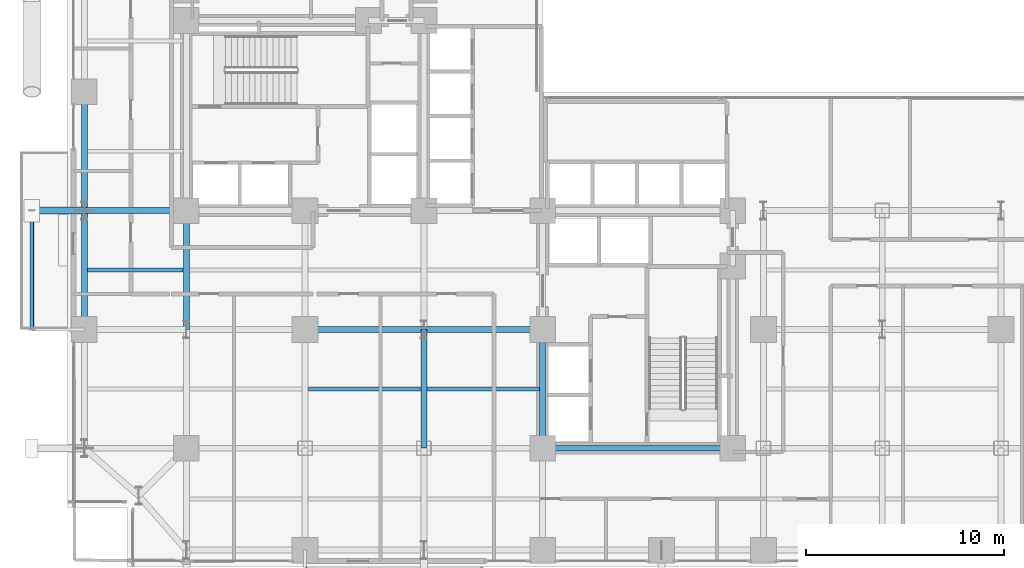
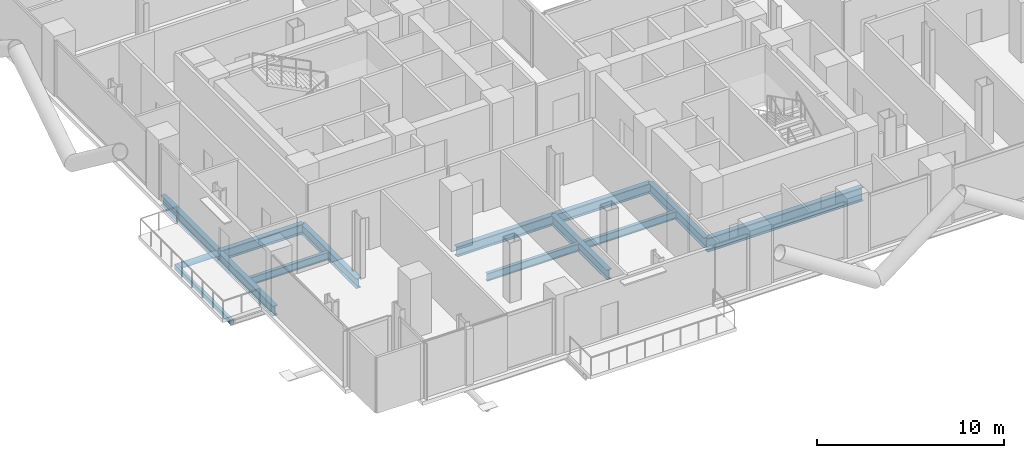
# One storey, part 4 of 25: 13 beams, 1 member.
"""IFC4 building model written with IfcOpenShell, lengths in metres."""

from ifc_helpers import new_model, si_unit, direction, frame, origin, origin_2d, place, context, subcontext, project, spatial, hollow_rectangle, hollow_circle, i_section, extrude, material, material_profile, profile_set, type_object, element, save


model = new_model("IFC4")

# Units and contexts
model_context = context("Model", 3, precision=1e-05, world=origin(), true_north=direction((0.0, 1.0)))
body_context = subcontext(model_context, "Body", "Model", "MODEL_VIEW")
ifc_project = project(units=[si_unit("LENGTHUNIT", "METRE"), si_unit("AREAUNIT", "SQUARE_METRE"), si_unit("VOLUMEUNIT", "CUBIC_METRE"), si_unit("PLANEANGLEUNIT", "RADIAN"), si_unit("MASSUNIT", "GRAM", prefix="KILO"), si_unit("THERMODYNAMICTEMPERATUREUNIT", "KELVIN"), si_unit("POWERUNIT", "WATT")], contexts=[model_context])

# Site, building, storey
site_placement = place(None, origin())
site = spatial("IfcSite", under=ifc_project, at=site_placement, CompositionType="ELEMENT")
building_placement = place(site_placement, origin())
building = spatial("IfcBuilding", under=site, at=building_placement, Name="Svarakhadi Broadcast Tower", CompositionType="ELEMENT")
storey_placement = place(building_placement, frame((0.0, 0.0, 63.60009765625)))
storey = spatial("IfcBuildingStorey", under=building, at=storey_placement, Name="L14", CompositionType="ELEMENT", Elevation=63.60009765625)

# Beams
ifc_material_1 = material(Name="Steel S355J2 (IS 2062 E350C)", Category="steel")
ifc_material_profile_1 = material_profile(ifc_material_1, i_section(OverallWidth=0.199951171875, OverallDepth=0.5, WebThickness=0.01025390625, FlangeThickness=0.01611328125, FilletRadius=0.02099609375, at=origin_2d()), Name="NPB 500x200x91")
ifc_profile_set_1 = profile_set([ifc_material_profile_1], Name="Steel S355J2 (IS 2062 E350C)")
beam_type_1 = type_object("IfcBeamType", Name="Beam_NPB500", PredefinedType="BEAM", material=ifc_profile_set_1)
beam_1_placement = place(storey_placement, frame((1.010009765625, 15.0, -0.5), z_axis=(1.0, 0.0, 0.0), x_axis=(0.0, 1.0, 0.0)))
element("IfcBeam", 1, at=beam_1_placement, inside=storey, type_object=beam_type_1, Name="L14 Secondary Composite Beam SB002", PredefinedType="BEAM", context=body_context, shape_type="SweptSolid", body=[
    extrude(i_section(OverallWidth=0.199951171875, OverallDepth=0.5, WebThickness=0.01025390625, FlangeThickness=0.01611328125, FilletRadius=0.02099609375, at=origin_2d()), origin(), (0.0, 0.0, 1.0), 4.830078125),
])
for number, where, z_axis, x_axis, name in (
    (2, (12.159912109375, 9.0, -0.5), (1.0, 0.0, 0.0), (0.0, 1.0, 0.0), "L14 Secondary Composite Beam SB014"),
    (3, (18.159912109375, 9.0, -0.5), (1.0, 0.0, 0.0), (0.0, 1.0, 0.0), "L14 Secondary Composite Beam SB020"),
):
    element("IfcBeam", number, at=place(storey_placement, frame(where, z_axis=z_axis, x_axis=x_axis)), inside=storey, type_object=beam_type_1, Name=name, PredefinedType="BEAM", context=body_context, shape_type="SweptSolid", body=[
        extrude(i_section(OverallWidth=0.199951171875, OverallDepth=0.5, WebThickness=0.01025390625, FlangeThickness=0.01611328125, FilletRadius=0.02099609375, at=origin_2d()), origin(), (0.0, 0.0, 1.0), 5.68017578125),
    ])

# Member
ifc_material_2 = material(Name="Steel S460ML (IS 2062 E450BR)", Category="steel")
ifc_material_profile_2 = material_profile(ifc_material_2, hollow_circle(Radius=0.177734375, WallThickness=0.02001953125, at=origin_2d()), Name="CHS 355.6x20")
ifc_profile_set_2 = profile_set([ifc_material_profile_2], Name="Steel S460ML (IS 2062 E450BR)")
member_type = type_object("IfcMemberType", Name="Exo_Radial_Strut_Z1", PredefinedType="STRUT", material=ifc_profile_set_2)
member_placement = place(storey_placement, frame((-1.800048828125, 18.0, -0.427978515625), z_axis=(1.0, 0.0, 0.0), x_axis=(0.0, 1.0, 0.0)))
element("IfcMember", 4, at=member_placement, inside=storey, type_object=member_type, Name="L14 Exoskeleton Radial Tie Strut W06", PredefinedType="STRUT", context=body_context, shape_type="SweptSolid", body=[
    extrude(hollow_circle(Radius=0.177734375, WallThickness=0.02001953125, at=origin_2d()), origin(), (0.0, 0.0, 1.0), 2.650146484375),
])

# Beams
ifc_material_profile_3 = material_profile(ifc_material_1, i_section(OverallWidth=0.300048828125, OverallDepth=0.64990234375, WebThickness=0.01611328125, FlangeThickness=0.031005859375, FilletRadius=0.027099609375, at=origin_2d()), Name="WPB 650x300x225")
ifc_profile_set_3 = profile_set([ifc_material_profile_3], Name="Steel S355J2 (IS 2062 E350C)")
beam_type_2 = type_object("IfcBeamType", Name="Girder_WPB650", PredefinedType="USERDEFINED", material=ifc_profile_set_3)
for number, where, z_axis, x_axis, name in (
    (5, (12.0, 12.0, -0.5751953125), (1.0, 0.0, 0.0), (0.0, 1.0, 0.0), "L14 Primary E-W Girder G021"),
    (6, (18.0, 12.0, -0.5751953125), (1.0, 0.0, 0.0), (0.0, 1.0, 0.0), "L14 Primary E-W Girder G022"),
):
    element("IfcBeam", number, at=place(storey_placement, frame(where, z_axis=z_axis, x_axis=x_axis)), inside=storey, type_object=beam_type_2, Name=name, ObjectType="GIRDER", PredefinedType="USERDEFINED", context=body_context, shape_type="SweptSolid", body=[
        extrude(i_section(OverallWidth=0.300048828125, OverallDepth=0.64990234375, WebThickness=0.01611328125, FlangeThickness=0.031005859375, FilletRadius=0.027099609375, at=origin_2d()), origin(), (0.0, 0.0, 1.0), 6.0),
    ])
beam_2_placement = place(storey_placement, frame((0.85009765625, 18.0, -0.5751953125), z_axis=(1.0, 0.0, 0.0), x_axis=(0.0, 1.0, 0.0)))
element("IfcBeam", 7, at=beam_2_placement, inside=storey, type_object=beam_type_2, Name="L14 Primary E-W Girder G025", ObjectType="GIRDER", PredefinedType="USERDEFINED", context=body_context, shape_type="SweptSolid", body=[
    extrude(i_section(OverallWidth=0.300048828125, OverallDepth=0.64990234375, WebThickness=0.01611328125, FlangeThickness=0.031005859375, FilletRadius=0.027099609375, at=origin_2d()), origin(), (0.0, 0.0, 1.0), 5.14990234375),
])
for number, where, z_axis, x_axis, name in (
    (8, (0.85009765625, 12.0, -0.5751953125), (0.0, 1.0, 0.0), (-1.0, 0.0, 0.0), "L14 Primary N-S Girder G046"),
    (9, (0.85009765625, 18.0, -0.5751953125), (0.0, 1.0, 0.0), (-1.0, 0.0, 0.0), "L14 Primary N-S Girder G047"),
    (10, (6.0, 12.0, -0.5751953125), (0.0, 1.0, 0.0), (-1.0, 0.0, 0.0), "L14 Primary N-S Girder G053"),
    (11, (18.0, 6.0, -0.5751953125), (0.0, 1.0, 0.0), (-1.0, 0.0, 0.0), "L14 Primary N-S Girder G065"),
    (12, (24.0, 6.0, -0.5751953125), (0.0, 1.0, 0.0), (-1.0, 0.0, 0.0), "L14 Primary N-S Girder G072"),
):
    element("IfcBeam", number, at=place(storey_placement, frame(where, z_axis=z_axis, x_axis=x_axis)), inside=storey, type_object=beam_type_2, Name=name, ObjectType="GIRDER", PredefinedType="USERDEFINED", context=body_context, shape_type="SweptSolid", body=[
        extrude(i_section(OverallWidth=0.300048828125, OverallDepth=0.64990234375, WebThickness=0.01611328125, FlangeThickness=0.031005859375, FilletRadius=0.027099609375, at=origin_2d()), origin(), (0.0, 0.0, 1.0), 6.0),
    ])
ifc_material_profile_4 = material_profile(ifc_material_2, i_section(OverallWidth=0.300048828125, OverallDepth=0.89990234375, WebThickness=0.0185546875, FlangeThickness=0.034912109375, FilletRadius=0.030029296875, at=origin_2d()), Name="WPB 900x300x291")
ifc_profile_set_4 = profile_set([ifc_material_profile_4], Name="Steel S460ML (IS 2062 E450BR)")
beam_type_3 = type_object("IfcBeamType", Name="Girder_WPB900", PredefinedType="USERDEFINED", material=ifc_profile_set_4)
beam_3_placement = place(storey_placement, frame((24.0, 6.0, -0.7001953125), z_axis=(1.0, 0.0, 0.0), x_axis=(0.0, 1.0, 0.0)))
element("IfcBeam", 13, at=beam_3_placement, inside=storey, type_object=beam_type_3, Name="L14 Primary E-W Girder G015", ObjectType="GIRDER", PredefinedType="USERDEFINED", context=body_context, shape_type="SweptSolid", body=[
    extrude(i_section(OverallWidth=0.300048828125, OverallDepth=0.89990234375, WebThickness=0.0185546875, FlangeThickness=0.034912109375, FilletRadius=0.030029296875, at=origin_2d()), origin(), (0.0, 0.0, 1.0), 9.60009765625),
])
ifc_material_profile_5 = material_profile(ifc_material_2, hollow_rectangle(XDim=0.199951171875, YDim=0.300048828125, WallThickness=0.012451171875, InnerFilletRadius=0.012451171875, OuterFilletRadius=0.02490234375, at=origin_2d()), Name="RHS 300x200x12.5")
ifc_profile_set_5 = profile_set([ifc_material_profile_5], Name="Steel S460ML (IS 2062 E450BR)")
beam_type_4 = type_object("IfcBeamType", Name="Spandrel_RHS300", PredefinedType="SPANDREL", material=ifc_profile_set_5)
beam_4_placement = place(storey_placement, frame((-1.800048828125, 12.0, -0.400146484375), z_axis=(0.0, 1.0, 0.0), x_axis=(-1.0, 0.0, 0.0)))
element("IfcBeam", 14, at=beam_4_placement, inside=storey, type_object=beam_type_4, Name="L14 Balcony Outer Spandrel 2F", PredefinedType="SPANDREL", context=body_context, shape_type="SweptSolid", body=[
    extrude(hollow_rectangle(XDim=0.199951171875, YDim=0.300048828125, WallThickness=0.012451171875, InnerFilletRadius=0.012451171875, OuterFilletRadius=0.02490234375, at=origin_2d()), origin(), (0.0, 0.0, 1.0), 6.0),
])

save(model, "model.ifc")
